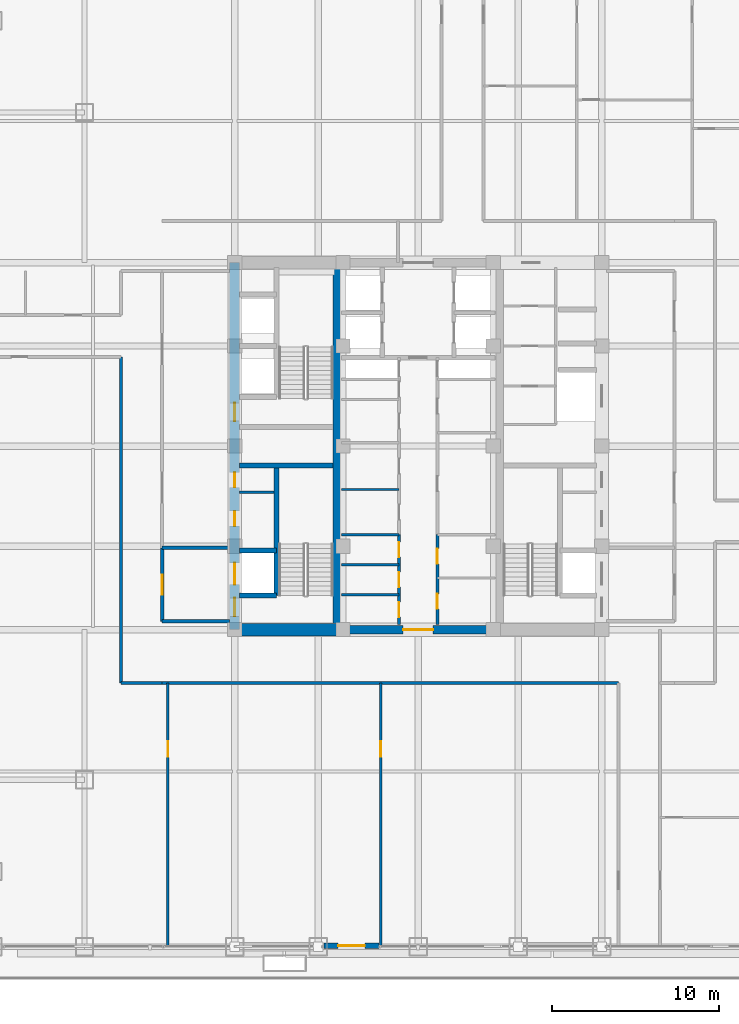
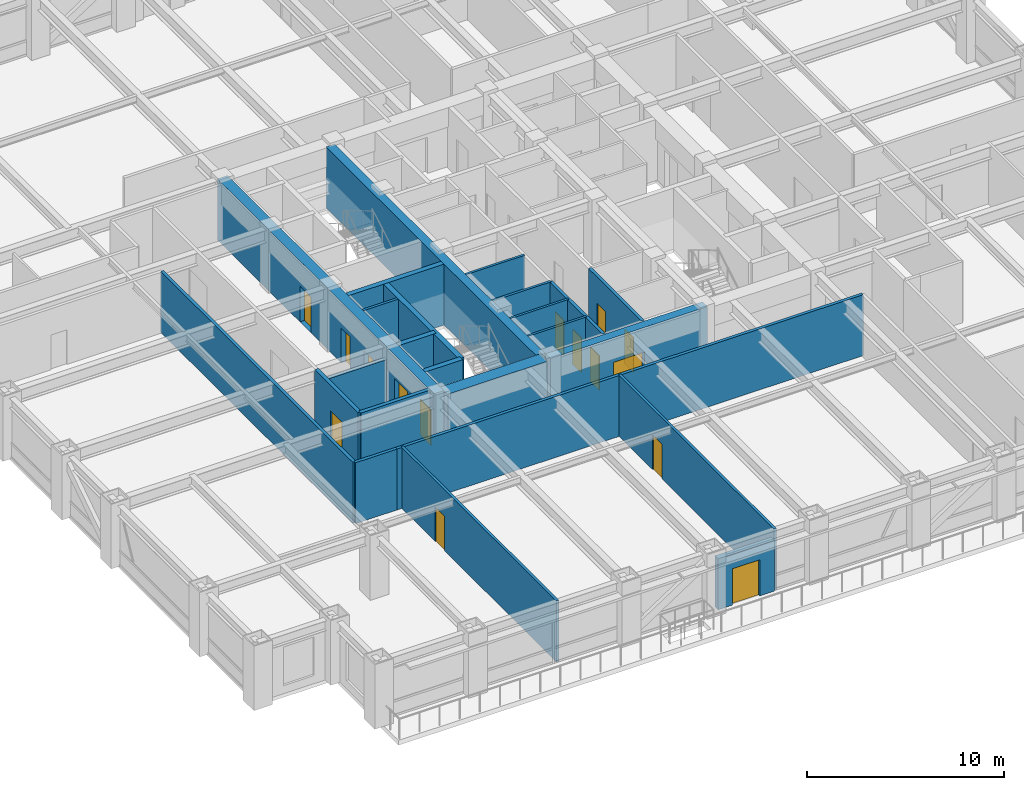
# One storey, part 26 of 35: 24 walls, 15 doors, 15 openings.
"""IFC4 building model written with IfcOpenShell, lengths in metres."""

from ifc_helpers import new_model, si_unit, direction, frame, frame_2d, origin, place, context, subcontext, project, spatial, rectangle, extrude, source, transform, mapped, material, layer, layer_set, type_object, element, fill, save


model = new_model("IFC4")

# Units and contexts
model_context = context("Model", 3, precision=1e-05, world=origin(), true_north=direction((0.0, 1.0)))
body_context = subcontext(model_context, "Body", "Model", "MODEL_VIEW")
ifc_project = project(units=[si_unit("LENGTHUNIT", "METRE"), si_unit("AREAUNIT", "SQUARE_METRE"), si_unit("VOLUMEUNIT", "CUBIC_METRE"), si_unit("PLANEANGLEUNIT", "RADIAN"), si_unit("MASSUNIT", "GRAM", prefix="KILO")], contexts=[model_context])

# Site, building, storey
site_placement = place(None, origin())
site = spatial("IfcSite", under=ifc_project, at=site_placement, CompositionType="ELEMENT")
building_placement = place(site_placement, origin())
building = spatial("IfcBuilding", under=site, at=building_placement, Name="Khorayat Bourse Tower", CompositionType="ELEMENT")
storey_placement = place(building_placement, frame((0.0, 0.0, 155.10009765625)))
storey = spatial("IfcBuildingStorey", under=building, at=storey_placement, Name="L35", CompositionType="ELEMENT", Elevation=155.10009765625)

# Wall, openings, doors
ifc_material_1 = material(Name="Concrete C60/75", Category="concrete")
ifc_layer_1 = layer(ifc_material_1, 0.60009765625)
ifc_layer_set_1 = layer_set([ifc_layer_1], Name="Concrete C60/75")
wall_type_1 = type_object("IfcWallType", Name="WAL-CORE-600", PredefinedType="SHEAR", material=ifc_layer_set_1)
shared_shape_1 = source(origin(), body_context, "Body", "SweptSolid", [
    extrude(rectangle(XDim=22.0, YDim=0.60009765625, at=frame_2d((11.0, 0.0))), origin(), (0.0, 0.0, 1.0), 3.77978515625),
])
wall_1_placement = place(storey_placement, frame((-11.0, -11.0, 0.0), z_axis=(0.0, 0.0, 1.0), x_axis=(0.0, 1.0, 0.0)))
wall_1 = element("IfcWall", 1, at=wall_1_placement, inside=storey, type_object=wall_type_1, Name="L35 Core Shear Wall CORE-W", PredefinedType="SHEAR", context=body_context, shape_type="MappedRepresentation", body=[
    mapped(shared_shape_1, transform((0.0, 0.0, 0.0), scale=1.0)),
])
shared_shape_2 = source(origin(), body_context, "Body", "SweptSolid", [
    extrude(rectangle(XDim=1.10009765625, YDim=2.199951171875, at=frame_2d((0.550048828125, 1.10009765625))), frame((0.0, 0.31005859375, 0.0), z_axis=(0.0, -1.0, 0.0), x_axis=(1.0, 0.0, 0.0)), (0.0, 0.0, 1.0), 0.6201171875),
])
opening_1_placement = place(wall_1_placement, frame((0.800048828125, 0.0, 0.0)))
opening_1 = element("IfcOpeningElement", 2, at=opening_1_placement, cuts=wall_1, Name="Opening DI-01", PredefinedType="OPENING", context=body_context, shape_type="MappedRepresentation", body=[
    mapped(shared_shape_2, transform((0.0, 0.0, 0.0), scale=1.0)),
])
opening_2_placement = place(wall_1_placement, frame((12.5, 0.0, 0.0)))
opening_2 = element("IfcOpeningElement", 3, at=opening_2_placement, cuts=wall_1, Name="Opening DI-01", PredefinedType="OPENING", context=body_context, shape_type="MappedRepresentation", body=[
    mapped(shared_shape_2, transform((0.0, 0.0, 0.0), scale=1.0)),
])
shared_shape_3 = source(origin(), body_context, "Body", "SweptSolid", [
    extrude(rectangle(XDim=0.89990234375, YDim=2.14990234375, at=frame_2d((0.449951171875, 1.074951171875))), frame((0.0, 0.31005859375, 0.0), z_axis=(0.0, -1.0, 0.0), x_axis=(1.0, 0.0, 0.0)), (0.0, 0.0, 1.0), 0.6201171875),
])
opening_3_placement = place(wall_1_placement, frame((6.199951171875, 0.0, 0.0)))
opening_3 = element("IfcOpeningElement", 4, at=opening_3_placement, cuts=wall_1, Name="Opening DI-06", PredefinedType="OPENING", context=body_context, shape_type="MappedRepresentation", body=[
    mapped(shared_shape_3, transform((0.0, 0.0, 0.0), scale=1.0)),
])
opening_4_placement = place(wall_1_placement, frame((8.52490234375, 0.0, 0.0)))
opening_4 = element("IfcOpeningElement", 5, at=opening_4_placement, cuts=wall_1, Name="Opening DI-06", PredefinedType="OPENING", context=body_context, shape_type="MappedRepresentation", body=[
    mapped(shared_shape_3, transform((0.0, 0.0, 0.0), scale=1.0)),
])
shared_shape_4 = source(origin(), body_context, "Body", "SweptSolid", [
    extrude(rectangle(XDim=1.300048828125, YDim=2.300048828125, at=frame_2d((0.64990234375, 1.14990234375))), frame((0.0, 0.31005859375, 0.0), z_axis=(0.0, -1.0, 0.0), x_axis=(1.0, 0.0, 0.0)), (0.0, 0.0, 1.0), 0.6201171875),
])
opening_5_placement = place(wall_1_placement, frame((2.699951171875, 0.0, 0.0)))
opening_5 = element("IfcOpeningElement", 6, at=opening_5_placement, cuts=wall_1, Name="Opening LD-02", PredefinedType="OPENING", context=body_context, shape_type="MappedRepresentation", body=[
    mapped(shared_shape_4, transform((0.0, 0.0, 0.0), scale=1.0)),
])
ifc_material_2 = material(Name="Fire-rated steel acoustic leaf", Category="steel")
door_type_1 = type_object("IfcDoorType", Name="DR-INT-STAIR-1100", OperationType="NOTDEFINED", PredefinedType="DOOR", material=ifc_material_2)
shared_shape_5 = source(origin(), body_context, "Body", "SweptSolid", [
    extrude(rectangle(XDim=1.10009765625, YDim=2.199951171875, at=frame_2d((0.550048828125, 1.10009765625))), frame((0.0, 0.02490234375, 0.0), z_axis=(0.0, -1.0, 0.0), x_axis=(1.0, 0.0, 0.0)), (0.0, 0.0, 1.0), 0.050048828125),
])
door_1_placement = place(opening_1_placement, origin())
door_1 = element("IfcDoor", 7, at=door_1_placement, inside=storey, type_object=door_type_1, Name="L35 Exit Stair 1 Door", OperationType="SINGLE_SWING_RIGHT", OverallHeight=2.199951171875, OverallWidth=1.10009765625, PredefinedType="DOOR", context=body_context, shape_type="MappedRepresentation", body=[
    mapped(shared_shape_5, transform((0.0, 0.0, 0.0), scale=1.0)),
])
fill(opening_1, door_1)
door_2_placement = place(opening_2_placement, origin())
door_2 = element("IfcDoor", 8, at=door_2_placement, inside=storey, type_object=door_type_1, Name="L35 Exit Stair 2 Door", OperationType="SINGLE_SWING_RIGHT", OverallHeight=2.199951171875, OverallWidth=1.10009765625, PredefinedType="DOOR", context=body_context, shape_type="MappedRepresentation", body=[
    mapped(shared_shape_5, transform((0.0, 0.0, 0.0), scale=1.0)),
])
fill(opening_2, door_2)
ifc_material_3 = material(Name="Moisture-resistant laminate washroom door")
door_type_2 = type_object("IfcDoorType", Name="DR-INT-WC-900", OperationType="NOTDEFINED", PredefinedType="DOOR", material=ifc_material_3)
shared_shape_6 = source(origin(), body_context, "Body", "SweptSolid", [
    extrude(rectangle(XDim=0.89990234375, YDim=2.14990234375, at=frame_2d((0.449951171875, 1.074951171875))), frame((0.0, 0.02490234375, 0.0), z_axis=(0.0, -1.0, 0.0), x_axis=(1.0, 0.0, 0.0)), (0.0, 0.0, 1.0), 0.050048828125),
])
door_3_placement = place(opening_3_placement, origin())
door_3 = element("IfcDoor", 9, at=door_3_placement, inside=storey, type_object=door_type_2, Name="L35 Switch Closet Door", OperationType="SINGLE_SWING_RIGHT", OverallHeight=2.14990234375, OverallWidth=0.89990234375, PredefinedType="DOOR", context=body_context, shape_type="MappedRepresentation", body=[
    mapped(shared_shape_6, transform((0.0, 0.0, 0.0), scale=1.0)),
])
fill(opening_3, door_3)
door_4_placement = place(opening_4_placement, origin())
door_4 = element("IfcDoor", 10, at=door_4_placement, inside=storey, type_object=door_type_2, Name="L35 Janitor Store Door", OperationType="SINGLE_SWING_LEFT", OverallHeight=2.14990234375, OverallWidth=0.89990234375, PredefinedType="DOOR", context=body_context, shape_type="MappedRepresentation", body=[
    mapped(shared_shape_6, transform((0.0, 0.0, 0.0), scale=1.0)),
])
fill(opening_4, door_4)
ifc_material_4 = material(Name="Fire-rated stainless-steel sliding landing door", Category="steel")
door_type_3 = type_object("IfcDoorType", Name="DR-LIFT-FF-1300", OperationType="NOTDEFINED", PredefinedType="DOOR", material=ifc_material_4)
shared_shape_7 = source(origin(), body_context, "Body", "SweptSolid", [
    extrude(rectangle(XDim=1.300048828125, YDim=2.300048828125, at=frame_2d((0.64990234375, 1.14990234375))), frame((0.0, 0.02490234375, 0.0), z_axis=(0.0, -1.0, 0.0), x_axis=(1.0, 0.0, 0.0)), (0.0, 0.0, 1.0), 0.050048828125),
])
door_5_placement = place(opening_5_placement, origin())
door_5 = element("IfcDoor", 11, at=door_5_placement, inside=storey, type_object=door_type_3, Name="L35 Lift FFL-01 Sliding Landing Door", OperationType="SLIDING_TO_LEFT", OverallHeight=2.300048828125, OverallWidth=1.300048828125, PredefinedType="DOOR", context=body_context, shape_type="MappedRepresentation", body=[
    mapped(shared_shape_7, transform((0.0, 0.0, 0.0), scale=1.0)),
])
fill(opening_5, door_5)

# Walls
ifc_material_5 = material(Name="Concrete C52/65", Category="concrete")
ifc_layer_2 = layer(ifc_material_5, 0.5)
ifc_layer_set_2 = layer_set([ifc_layer_2], Name="Concrete C52/65")
wall_type_2 = type_object("IfcWallType", Name="WAL-CORE-500", PredefinedType="SHEAR", material=ifc_layer_set_2)
shared_shape_8 = source(origin(), body_context, "Body", "SweptSolid", [
    extrude(rectangle(XDim=21.39990234375, YDim=0.5, at=frame_2d((10.699951171875, 0.0))), origin(), (0.0, 0.0, 1.0), 3.77978515625),
])
wall_2_placement = place(storey_placement, frame((-4.85009765625, -10.699951171875, 0.0), z_axis=(0.0, 0.0, 1.0), x_axis=(0.0, 1.0, 0.0)))
element("IfcWall", 12, at=wall_2_placement, inside=storey, type_object=wall_type_2, Name="L35 Core Shear Wall PIER-W", PredefinedType="SHEAR", context=body_context, shape_type="MappedRepresentation", body=[
    mapped(shared_shape_8, transform((0.0, 0.0, 0.0), scale=1.0)),
])
ifc_material_6 = material(Name="Concrete C72/90", Category="concrete")
ifc_layer_3 = layer(ifc_material_6, 0.75)
ifc_layer_set_3 = layer_set([ifc_layer_3], Name="Concrete C72/90")
wall_type_3 = type_object("IfcWallType", Name="WAL-CORE-750", PredefinedType="SHEAR", material=ifc_layer_set_3)
shared_shape_9 = source(origin(), body_context, "Body", "SweptSolid", [
    extrude(rectangle(XDim=5.849853515625, YDim=0.75, at=frame_2d((2.9248046875, 0.0))), origin(), (0.0, 0.0, 1.0), 3.77978515625),
])
wall_3_placement = place(storey_placement, frame((-10.699951171875, -11.0, 0.0), z_axis=(0.0, 0.0, 1.0), x_axis=(1.0, 0.0, 0.0)))
element("IfcWall", 13, at=wall_3_placement, inside=storey, type_object=wall_type_3, Name="L35 Core Shear Wall PIER-WS", PredefinedType="SHEAR", context=body_context, shape_type="MappedRepresentation", body=[
    mapped(shared_shape_9, transform((0.0, 0.0, 0.0), scale=1.0)),
])
ifc_material_7 = material(Name="Concrete C50/60", Category="concrete")
ifc_layer_4 = layer(ifc_material_7, 0.300048828125)
ifc_layer_set_4 = layer_set([ifc_layer_4], Name="Concrete C50/60")
wall_type_4 = type_object("IfcWallType", Name="WAL-SHAFT-300", PredefinedType="SHEAR", material=ifc_layer_set_4)
shared_shape_10 = source(origin(), body_context, "Body", "SweptSolid", [
    extrude(rectangle(XDim=5.599853515625, YDim=0.300048828125, at=frame_2d((2.7998046875, 0.0))), origin(), (0.0, 0.0, 1.0), 3.77978515625),
])
wall_4_placement = place(storey_placement, frame((-10.699951171875, -1.14990234375, 0.0), z_axis=(0.0, 0.0, 1.0), x_axis=(1.0, 0.0, 0.0)))
element("IfcWall", 14, at=wall_4_placement, inside=storey, type_object=wall_type_4, Name="L35 Core Shear Wall ST1-DIV", PredefinedType="SHEAR", context=body_context, shape_type="MappedRepresentation", body=[
    mapped(shared_shape_10, transform((0.0, 0.0, 0.0), scale=1.0)),
])

# Wall, opening, door
shared_shape_11 = source(origin(), body_context, "Body", "SweptSolid", [
    extrude(rectangle(XDim=9.2001953125, YDim=0.5, at=frame_2d((4.60009765625, 0.0))), origin(), (0.0, 0.0, 1.0), 3.77978515625),
])
wall_5_placement = place(storey_placement, frame((-4.60009765625, -11.0, 0.0), z_axis=(0.0, 0.0, 1.0), x_axis=(1.0, 0.0, 0.0)))
wall_5 = element("IfcWall", 15, at=wall_5_placement, inside=storey, type_object=wall_type_2, Name="L35 Core Shear Wall CORE-S", PredefinedType="SHEAR", context=body_context, shape_type="MappedRepresentation", body=[
    mapped(shared_shape_11, transform((0.0, 0.0, 0.0), scale=1.0)),
])
shared_shape_12 = source(origin(), body_context, "Body", "SweptSolid", [
    extrude(rectangle(XDim=1.800048828125, YDim=2.25, at=frame_2d((0.89990234375, 1.125))), frame((0.0, 0.260009765625, 0.0), z_axis=(0.0, -1.0, 0.0), x_axis=(1.0, 0.0, 0.0)), (0.0, 0.0, 1.0), 0.52001953125),
])
opening_6_placement = place(wall_5_placement, frame((3.699951171875, 0.0, 0.0)))
opening_6 = element("IfcOpeningElement", 16, at=opening_6_placement, cuts=wall_5, Name="Opening DI-03", PredefinedType="OPENING", context=body_context, shape_type="MappedRepresentation", body=[
    mapped(shared_shape_12, transform((0.0, 0.0, 0.0), scale=1.0)),
])
ifc_material_8 = material(Name="Fire-rated hardwood vision-panel double leaf", Category="wood")
door_type_4 = type_object("IfcDoorType", Name="DR-INT-CORR-1800", OperationType="NOTDEFINED", PredefinedType="DOOR", material=ifc_material_8)
shared_shape_13 = source(origin(), body_context, "Body", "SweptSolid", [
    extrude(rectangle(XDim=1.800048828125, YDim=2.25, at=frame_2d((0.89990234375, 1.125))), frame((0.0, 0.02490234375, 0.0), z_axis=(0.0, -1.0, 0.0), x_axis=(1.0, 0.0, 0.0)), (0.0, 0.0, 1.0), 0.050048828125),
])
door_6_placement = place(opening_6_placement, origin())
door_6 = element("IfcDoor", 17, at=door_6_placement, inside=storey, type_object=door_type_4, Name="L35 Central Core South Passage Door", OperationType="SINGLE_SWING_LEFT", OverallHeight=2.25, OverallWidth=1.800048828125, PredefinedType="DOOR", context=body_context, shape_type="MappedRepresentation", body=[
    mapped(shared_shape_13, transform((0.0, 0.0, 0.0), scale=1.0)),
])
fill(opening_6, door_6)

ifc_material_9 = material(Name="Precast concrete C45/55", Category="concrete")
ifc_layer_5 = layer(ifc_material_9, 0.320068359375)
ifc_layer_set_5 = layer_set([ifc_layer_5], Name="Precast concrete C45/55")
wall_type_5 = type_object("IfcWallType", Name="WAL-EXT-STONE-320", PredefinedType="STANDARD", material=ifc_layer_set_5)
shared_shape_14 = source(origin(), body_context, "Body", "SweptSolid", [
    extrude(rectangle(XDim=3.2998046875, YDim=0.320068359375, at=frame_2d((1.64990234375, 0.0))), origin(), (0.0, 0.0, 1.0), 3.163818359375),
])
wall_6_placement = place(storey_placement, frame((-5.64990234375, -29.9423828125, 0.0), z_axis=(0.0, 0.0, 1.0), x_axis=(1.0, 0.0, 0.0)))
wall_6 = element("IfcWall", 18, at=wall_6_placement, inside=storey, type_object=wall_type_5, Name="L35 Exterior Limestone Wall WAL-L35-TDPORT-S1", PredefinedType="STANDARD", context=body_context, shape_type="MappedRepresentation", body=[
    mapped(shared_shape_14, transform((0.0, 0.0, 0.0), scale=1.0)),
])
shared_shape_15 = source(origin(), body_context, "Body", "SweptSolid", [
    extrude(rectangle(XDim=1.60009765625, YDim=2.25, at=frame_2d((0.800048828125, 1.125))), frame((0.0, 0.169921875, 0.0), z_axis=(0.0, -1.0, 0.0), x_axis=(1.0, 0.0, 0.0)), (0.0, 0.0, 1.0), 0.340087890625),
])
opening_7_placement = place(wall_6_placement, frame((0.85009765625, 0.0, 0.0)))
opening_7 = element("IfcOpeningElement", 19, at=opening_7_placement, cuts=wall_6, Name="Opening DE-04", PredefinedType="OPENING", context=body_context, shape_type="MappedRepresentation", body=[
    mapped(shared_shape_15, transform((0.0, 0.0, 0.0), scale=1.0)),
])
ifc_material_10 = material(Name="Thermally broken aluminium terrace double door", Category="aluminium")
door_type_5 = type_object("IfcDoorType", Name="DR-EXT-TERR-1600", OperationType="NOTDEFINED", PredefinedType="DOOR", material=ifc_material_10)
shared_shape_16 = source(origin(), body_context, "Body", "SweptSolid", [
    extrude(rectangle(XDim=1.60009765625, YDim=2.25, at=frame_2d((0.800048828125, 1.125))), frame((0.0, 0.02490234375, 0.0), z_axis=(0.0, -1.0, 0.0), x_axis=(1.0, 0.0, 0.0)), (0.0, 0.0, 1.0), 0.050048828125),
])
door_7_placement = place(opening_7_placement, origin())
door_7 = element("IfcDoor", 20, at=door_7_placement, inside=storey, type_object=door_type_5, Name="L35 South Setback Terrace Door", OperationType="DOUBLE_DOOR_SINGLE_SWING", OverallHeight=2.25, OverallWidth=1.60009765625, PredefinedType="DOOR", context=body_context, shape_type="MappedRepresentation", body=[
    mapped(shared_shape_16, transform((0.0, 0.0, 0.0), scale=1.0)),
])
fill(opening_7, door_7)

# Walls
shared_shape_17 = source(origin(), body_context, "Body", "SweptSolid", [
    extrude(rectangle(XDim=7.800048828125, YDim=0.300048828125, at=frame_2d((3.89990234375, 0.0))), origin(), (0.0, 0.0, 1.0), 3.77978515625),
])
wall_7_placement = place(storey_placement, frame((-8.5, -8.949951171875, 0.0), z_axis=(0.0, 0.0, 1.0), x_axis=(0.0, 1.0, 0.0)))
element("IfcWall", 21, at=wall_7_placement, inside=storey, type_object=wall_type_4, Name="L35 Partition WAL-L35-WPIER-SP", PredefinedType="SHEAR", context=body_context, shape_type="MappedRepresentation", body=[
    mapped(shared_shape_17, transform((0.0, 0.0, 0.0), scale=1.0)),
])
shared_shape_18 = source(origin(), body_context, "Body", "SweptSolid", [
    extrude(rectangle(XDim=2.199951171875, YDim=0.300048828125, at=frame_2d((1.10009765625, 0.0))), origin(), (0.0, 0.0, 1.0), 3.77978515625),
])
for number, where, z_axis, x_axis, name in (
    (22, (-10.699951171875, -8.949951171875, 0.0), (0.0, 0.0, 1.0), (1.0, 0.0, 0.0), "L35 Partition WAL-L35-WPIER-FF1S"),
    (23, (-10.699951171875, -6.25, 0.0), (0.0, 0.0, 1.0), (1.0, 0.0, 0.0), "L35 Partition WAL-L35-WPIER-FF1N"),
):
    element("IfcWall", number, at=place(storey_placement, frame(where, z_axis=z_axis, x_axis=x_axis)), inside=storey, type_object=wall_type_4, Name=name, PredefinedType="SHEAR", context=body_context, shape_type="MappedRepresentation", body=[
        mapped(shared_shape_18, transform((0.0, 0.0, 0.0), scale=1.0)),
    ])
ifc_material_11 = material(Name="Gypsum plasterboard twin-frame partition")
ifc_layer_6 = layer(ifc_material_11, 0.14990234375)
ifc_layer_set_6 = layer_set([ifc_layer_6], Name="Gypsum plasterboard twin-frame partition")
wall_type_6 = type_object("IfcWallType", Name="WAL-PART-SUITE-150", PredefinedType="PARTITIONING", material=ifc_layer_set_6)
shared_shape_19 = source(origin(), body_context, "Body", "SweptSolid", [
    extrude(rectangle(XDim=2.050048828125, YDim=0.14990234375, at=frame_2d((1.02490234375, 0.0))), origin(), (0.0, 0.0, 1.0), 3.77978515625),
])
wall_8_placement = place(storey_placement, frame((-10.699951171875, -2.75, 0.0), z_axis=(0.0, 0.0, 1.0), x_axis=(1.0, 0.0, 0.0)))
element("IfcWall", 24, at=wall_8_placement, inside=storey, type_object=wall_type_6, Name="L35 Partition WAL-L35-WSRV-D1", PredefinedType="PARTITIONING", context=body_context, shape_type="MappedRepresentation", body=[
    mapped(shared_shape_19, transform((0.0, 0.0, 0.0), scale=1.0)),
])
ifc_material_12 = material(Name="Aerated concrete blockwork", Category="masonry")
ifc_layer_7 = layer(ifc_material_12, 0.219970703125)
ifc_layer_set_7 = layer_set([ifc_layer_7], Name="Aerated concrete blockwork")
wall_type_7 = type_object("IfcWallType", Name="WAL-PART-FF-220", PredefinedType="PARTITIONING", material=ifc_layer_set_7)
shared_shape_20 = source(origin(), body_context, "Body", "SweptSolid", [
    extrude(rectangle(XDim=4.050048828125, YDim=0.219970703125, at=frame_2d((2.02490234375, 0.0))), origin(), (0.0, 0.0, 1.0), 3.77978515625),
])
wall_9_placement = place(storey_placement, frame((-15.35009765625, -10.5, 0.0), z_axis=(0.0, 0.0, 1.0), x_axis=(1.0, 0.0, 0.0)))
element("IfcWall", 25, at=wall_9_placement, inside=storey, type_object=wall_type_7, Name="L35 Partition WAL-L35-FFLW-S", PredefinedType="PARTITIONING", context=body_context, shape_type="MappedRepresentation", body=[
    mapped(shared_shape_20, transform((0.0, 0.0, 0.0), scale=1.0)),
])
shared_shape_21 = source(origin(), body_context, "Body", "SweptSolid", [
    extrude(rectangle(XDim=4.050048828125, YDim=0.219970703125, at=frame_2d((2.02490234375, 0.0))), origin(), (0.0, 0.0, 1.0), 3.0068359375),
])
wall_10_placement = place(storey_placement, frame((-15.35009765625, -6.10009765625, 0.0), z_axis=(0.0, 0.0, 1.0), x_axis=(1.0, 0.0, 0.0)))
element("IfcWall", 26, at=wall_10_placement, inside=storey, type_object=wall_type_7, Name="L35 Partition WAL-L35-FFLW-N", PredefinedType="PARTITIONING", context=body_context, shape_type="MappedRepresentation", body=[
    mapped(shared_shape_21, transform((0.0, 0.0, 0.0), scale=1.0)),
])

# Wall, opening, door
shared_shape_22 = source(origin(), body_context, "Body", "SweptSolid", [
    extrude(rectangle(XDim=4.39990234375, YDim=0.219970703125, at=frame_2d((2.199951171875, 0.0))), origin(), (0.0, 0.0, 1.0), 3.77978515625),
])
wall_11_placement = place(storey_placement, frame((-15.35009765625, -10.5, 0.0), z_axis=(0.0, 0.0, 1.0), x_axis=(0.0, 1.0, 0.0)))
wall_11 = element("IfcWall", 27, at=wall_11_placement, inside=storey, type_object=wall_type_7, Name="L35 Partition WAL-L35-FFLW-W", PredefinedType="PARTITIONING", context=body_context, shape_type="MappedRepresentation", body=[
    mapped(shared_shape_22, transform((0.0, 0.0, 0.0), scale=1.0)),
])
shared_shape_23 = source(origin(), body_context, "Body", "SweptSolid", [
    extrude(rectangle(XDim=1.199951171875, YDim=2.199951171875, at=frame_2d((0.60009765625, 1.10009765625))), frame((0.0, 0.119873046875, 0.0), z_axis=(0.0, -1.0, 0.0), x_axis=(1.0, 0.0, 0.0)), (0.0, 0.0, 1.0), 0.239990234375),
])
opening_8_placement = place(wall_11_placement, frame((1.60009765625, 0.0, 0.0)))
opening_8 = element("IfcOpeningElement", 28, at=opening_8_placement, cuts=wall_11, Name="Opening DI-02", PredefinedType="OPENING", context=body_context, shape_type="MappedRepresentation", body=[
    mapped(shared_shape_23, transform((0.0, 0.0, 0.0), scale=1.0)),
])
ifc_material_13 = material(Name="Fire-rated steel double-seal leaf", Category="steel")
door_type_6 = type_object("IfcDoorType", Name="DR-INT-FFLOBBY-1200", OperationType="NOTDEFINED", PredefinedType="DOOR", material=ifc_material_13)
shared_shape_24 = source(origin(), body_context, "Body", "SweptSolid", [
    extrude(rectangle(XDim=1.199951171875, YDim=2.199951171875, at=frame_2d((0.60009765625, 1.10009765625))), frame((0.0, 0.02490234375, 0.0), z_axis=(0.0, -1.0, 0.0), x_axis=(1.0, 0.0, 0.0)), (0.0, 0.0, 1.0), 0.050048828125),
])
door_8_placement = place(opening_8_placement, origin())
door_8 = element("IfcDoor", 29, at=door_8_placement, inside=storey, type_object=door_type_6, Name="L35 West Firefighting Lobby Door", OperationType="SINGLE_SWING_LEFT", OverallHeight=2.199951171875, OverallWidth=1.199951171875, PredefinedType="DOOR", context=body_context, shape_type="MappedRepresentation", body=[
    mapped(shared_shape_24, transform((0.0, 0.0, 0.0), scale=1.0)),
])
fill(opening_8, door_8)

# Walls
shared_shape_25 = source(origin(), body_context, "Body", "SweptSolid", [
    extrude(rectangle(XDim=3.4501953125, YDim=0.14990234375, at=frame_2d((1.72509765625, 0.0))), origin(), (0.0, 0.0, 1.0), 3.77978515625),
])
wall_12_placement = place(storey_placement, frame((-4.60009765625, -5.300048828125, 0.0), z_axis=(0.0, 0.0, 1.0), x_axis=(1.0, 0.0, 0.0)))
element("IfcWall", 30, at=wall_12_placement, inside=storey, type_object=wall_type_6, Name="L35 Partition WAL-L35-FB1-NW", PredefinedType="PARTITIONING", context=body_context, shape_type="MappedRepresentation", body=[
    mapped(shared_shape_25, transform((0.0, 0.0, 0.0), scale=1.0)),
])
ifc_material_14 = material(Name="Moisture-resistant masonry partition", Category="masonry")
ifc_layer_8 = layer(ifc_material_14, 0.139892578125)
ifc_layer_set_8 = layer_set([ifc_layer_8], Name="Moisture-resistant masonry partition")
wall_type_8 = type_object("IfcWallType", Name="WAL-PART-WET-140", PredefinedType="PARTITIONING", material=ifc_layer_set_8)
shared_shape_26 = source(origin(), body_context, "Body", "SweptSolid", [
    extrude(rectangle(XDim=3.4501953125, YDim=0.139892578125, at=frame_2d((1.72509765625, 0.0))), origin(), (0.0, 0.0, 1.0), 3.77978515625),
])
for number, where, z_axis, x_axis, name in (
    (31, (-4.60009765625, -8.89990234375, 0.0), (0.0, 0.0, 1.0), (1.0, 0.0, 0.0), "L35 Partition WAL-L35-FB1W-D1"),
    (32, (-4.60009765625, -7.10009765625, 0.0), (0.0, 0.0, 1.0), (1.0, 0.0, 0.0), "L35 Partition WAL-L35-FB1W-D2"),
    (33, (-4.60009765625, -2.60009765625, 0.0), (0.0, 0.0, 1.0), (1.0, 0.0, 0.0), "L35 Partition WAL-L35-CMW-D1"),
):
    element("IfcWall", number, at=place(storey_placement, frame(where, z_axis=z_axis, x_axis=x_axis)), inside=storey, type_object=wall_type_8, Name=name, PredefinedType="PARTITIONING", context=body_context, shape_type="MappedRepresentation", body=[
        mapped(shared_shape_26, transform((0.0, 0.0, 0.0), scale=1.0)),
    ])

# Wall, openings, doors
ifc_material_15 = material(Name="Gypsum plasterboard acoustic stud wall")
ifc_layer_9 = layer(ifc_material_15, 0.179931640625)
ifc_layer_set_9 = layer_set([ifc_layer_9], Name="Gypsum plasterboard acoustic stud wall")
wall_type_9 = type_object("IfcWallType", Name="WAL-PART-CORR-180", PredefinedType="PARTITIONING", material=ifc_layer_set_9)
shared_shape_27 = source(origin(), body_context, "Body", "SweptSolid", [
    extrude(rectangle(XDim=5.39990234375, YDim=0.179931640625, at=frame_2d((2.699951171875, 0.0))), origin(), (0.0, 0.0, 1.0), 3.77978515625),
])
wall_13_placement = place(storey_placement, frame((-1.14990234375, -10.699951171875, 0.0), z_axis=(0.0, 0.0, 1.0), x_axis=(0.0, 1.0, 0.0)))
wall_13 = element("IfcWall", 34, at=wall_13_placement, inside=storey, type_object=wall_type_9, Name="L35 Partition WAL-L35-FB1W-L", PredefinedType="PARTITIONING", context=body_context, shape_type="MappedRepresentation", body=[
    mapped(shared_shape_27, transform((0.0, 0.0, 0.0), scale=1.0)),
])
shared_shape_28 = source(origin(), body_context, "Body", "SweptSolid", [
    extrude(rectangle(XDim=0.89990234375, YDim=2.14990234375, at=frame_2d((0.449951171875, 1.074951171875))), frame((0.0, 0.099853515625, 0.0), z_axis=(0.0, -1.0, 0.0), x_axis=(1.0, 0.0, 0.0)), (0.0, 0.0, 1.0), 0.199951171875),
])
opening_9_placement = place(wall_13_placement, frame((0.449951171875, 0.0, 0.0)))
opening_9 = element("IfcOpeningElement", 35, at=opening_9_placement, cuts=wall_13, Name="Opening DI-06", PredefinedType="OPENING", context=body_context, shape_type="MappedRepresentation", body=[
    mapped(shared_shape_28, transform((0.0, 0.0, 0.0), scale=1.0)),
])
opening_10_placement = place(wall_13_placement, frame((2.25, 0.0, 0.0)))
opening_10 = element("IfcOpeningElement", 36, at=opening_10_placement, cuts=wall_13, Name="Opening DI-06", PredefinedType="OPENING", context=body_context, shape_type="MappedRepresentation", body=[
    mapped(shared_shape_28, transform((0.0, 0.0, 0.0), scale=1.0)),
])
opening_11_placement = place(wall_13_placement, frame((4.050048828125, 0.0, 0.0)))
opening_11 = element("IfcOpeningElement", 37, at=opening_11_placement, cuts=wall_13, Name="Opening DI-06", PredefinedType="OPENING", context=body_context, shape_type="MappedRepresentation", body=[
    mapped(shared_shape_28, transform((0.0, 0.0, 0.0), scale=1.0)),
])
door_9_placement = place(opening_9_placement, origin())
door_9 = element("IfcDoor", 38, at=door_9_placement, inside=storey, type_object=door_type_2, Name="L35 Archive Store A Door", OperationType="SINGLE_SWING_RIGHT", OverallHeight=2.14990234375, OverallWidth=0.89990234375, PredefinedType="DOOR", context=body_context, shape_type="MappedRepresentation", body=[
    mapped(shared_shape_6, transform((0.0, 0.0, 0.0), scale=1.0)),
])
fill(opening_9, door_9)
door_10_placement = place(opening_10_placement, origin())
door_10 = element("IfcDoor", 39, at=door_10_placement, inside=storey, type_object=door_type_2, Name="L35 Patch Comms Room Door", OperationType="SINGLE_SWING_LEFT", OverallHeight=2.14990234375, OverallWidth=0.89990234375, PredefinedType="DOOR", context=body_context, shape_type="MappedRepresentation", body=[
    mapped(shared_shape_6, transform((0.0, 0.0, 0.0), scale=1.0)),
])
fill(opening_10, door_10)
door_11_placement = place(opening_11_placement, origin())
door_11 = element("IfcDoor", 40, at=door_11_placement, inside=storey, type_object=door_type_2, Name="L35 Archive Store B Door", OperationType="SINGLE_SWING_RIGHT", OverallHeight=2.14990234375, OverallWidth=0.89990234375, PredefinedType="DOOR", context=body_context, shape_type="MappedRepresentation", body=[
    mapped(shared_shape_6, transform((0.0, 0.0, 0.0), scale=1.0)),
])
fill(opening_11, door_11)

wall_14_placement = place(storey_placement, frame((1.14990234375, -10.699951171875, 0.0), z_axis=(0.0, 0.0, 1.0), x_axis=(0.0, 1.0, 0.0)))
wall_14 = element("IfcWall", 41, at=wall_14_placement, inside=storey, type_object=wall_type_9, Name="L35 Partition WAL-L35-FB1E-L", PredefinedType="PARTITIONING", context=body_context, shape_type="MappedRepresentation", body=[
    mapped(shared_shape_27, transform((0.0, 0.0, 0.0), scale=1.0)),
])
opening_12_placement = place(wall_14_placement, frame((0.949951171875, 0.0, 0.0)))
opening_12 = element("IfcOpeningElement", 42, at=opening_12_placement, cuts=wall_14, Name="Opening DI-06", PredefinedType="OPENING", context=body_context, shape_type="MappedRepresentation", body=[
    mapped(shared_shape_28, transform((0.0, 0.0, 0.0), scale=1.0)),
])
opening_13_placement = place(wall_14_placement, frame((3.64990234375, 0.0, 0.0)))
opening_13 = element("IfcOpeningElement", 43, at=opening_13_placement, cuts=wall_14, Name="Opening DI-06", PredefinedType="OPENING", context=body_context, shape_type="MappedRepresentation", body=[
    mapped(shared_shape_28, transform((0.0, 0.0, 0.0), scale=1.0)),
])
door_12_placement = place(opening_12_placement, origin())
door_12 = element("IfcDoor", 44, at=door_12_placement, inside=storey, type_object=door_type_2, Name="L35 UPS Switch Plant Room Door", OperationType="SINGLE_SWING_RIGHT", OverallHeight=2.14990234375, OverallWidth=0.89990234375, PredefinedType="DOOR", context=body_context, shape_type="MappedRepresentation", body=[
    mapped(shared_shape_6, transform((0.0, 0.0, 0.0), scale=1.0)),
])
fill(opening_12, door_12)
door_13_placement = place(opening_13_placement, origin())
door_13 = element("IfcDoor", 45, at=door_13_placement, inside=storey, type_object=door_type_2, Name="L35 Reprographics Store Door", OperationType="SINGLE_SWING_LEFT", OverallHeight=2.14990234375, OverallWidth=0.89990234375, PredefinedType="DOOR", context=body_context, shape_type="MappedRepresentation", body=[
    mapped(shared_shape_6, transform((0.0, 0.0, 0.0), scale=1.0)),
])
fill(opening_13, door_13)

# Wall
shared_shape_29 = source(origin(), body_context, "Body", "SweptSolid", [
    extrude(rectangle(XDim=2.449951171875, YDim=0.179931640625, at=frame_2d((1.22509765625, 0.0))), origin(), (0.0, 0.0, 1.0), 3.77978515625),
])
wall_15_placement = place(storey_placement, frame((-17.800048828125, -14.199951171875, 0.0), z_axis=(0.0, 0.0, 1.0), x_axis=(1.0, 0.0, 0.0)))
element("IfcWall", 46, at=wall_15_placement, inside=storey, type_object=wall_type_9, Name="L35 Partition WAL-L35-C2-WS", PredefinedType="PARTITIONING", context=body_context, shape_type="MappedRepresentation", body=[
    mapped(shared_shape_29, transform((0.0, 0.0, 0.0), scale=1.0)),
])

# Wall, opening, door
shared_shape_30 = source(origin(), body_context, "Body", "SweptSolid", [
    extrude(rectangle(XDim=15.800048828125, YDim=0.14990234375, at=frame_2d((7.89990234375, 0.0))), origin(), (0.0, 0.0, 1.0), 3.77978515625),
])
wall_16_placement = place(storey_placement, frame((-15.0, -30.0, 0.0), z_axis=(0.0, 0.0, 1.0), x_axis=(0.0, 1.0, 0.0)))
wall_16 = element("IfcWall", 47, at=wall_16_placement, inside=storey, type_object=wall_type_6, Name="L35 Partition WAL-L35-QSWDV-1", PredefinedType="PARTITIONING", context=body_context, shape_type="MappedRepresentation", body=[
    mapped(shared_shape_30, transform((0.0, 0.0, 0.0), scale=1.0)),
])
shared_shape_31 = source(origin(), body_context, "Body", "SweptSolid", [
    extrude(rectangle(XDim=0.949951171875, YDim=2.14990234375, at=frame_2d((0.47509765625, 1.074951171875))), frame((0.0, 0.0849609375, 0.0), z_axis=(0.0, -1.0, 0.0), x_axis=(1.0, 0.0, 0.0)), (0.0, 0.0, 1.0), 0.169921875),
])
opening_14_placement = place(wall_16_placement, frame((11.375, 0.0, 0.0)))
opening_14 = element("IfcOpeningElement", 48, at=opening_14_placement, cuts=wall_16, Name="Opening DI-05", PredefinedType="OPENING", context=body_context, shape_type="MappedRepresentation", body=[
    mapped(shared_shape_31, transform((0.0, 0.0, 0.0), scale=1.0)),
])
ifc_material_16 = material(Name="Acoustic oak veneer office door")
door_type_7 = type_object("IfcDoorType", Name="DR-INT-OFFICE-950", OperationType="NOTDEFINED", PredefinedType="DOOR", material=ifc_material_16)
shared_shape_32 = source(origin(), body_context, "Body", "SweptSolid", [
    extrude(rectangle(XDim=0.949951171875, YDim=2.14990234375, at=frame_2d((0.47509765625, 1.074951171875))), frame((0.0, 0.02490234375, 0.0), z_axis=(0.0, -1.0, 0.0), x_axis=(1.0, 0.0, 0.0)), (0.0, 0.0, 1.0), 0.050048828125),
])
door_14_placement = place(opening_14_placement, origin())
door_14 = element("IfcDoor", 49, at=door_14_placement, inside=storey, type_object=door_type_7, Name="L35 South-West Suite Link 1", OperationType="SINGLE_SWING_RIGHT", OverallHeight=2.14990234375, OverallWidth=0.949951171875, PredefinedType="DOOR", context=body_context, shape_type="MappedRepresentation", body=[
    mapped(shared_shape_32, transform((0.0, 0.0, 0.0), scale=1.0)),
])
fill(opening_14, door_14)

wall_17_placement = place(storey_placement, frame((-2.25, -30.0, 0.0), z_axis=(0.0, 0.0, 1.0), x_axis=(0.0, 1.0, 0.0)))
wall_17 = element("IfcWall", 50, at=wall_17_placement, inside=storey, type_object=wall_type_6, Name="L35 Partition WAL-L35-QSWDV-2", PredefinedType="PARTITIONING", context=body_context, shape_type="MappedRepresentation", body=[
    mapped(shared_shape_30, transform((0.0, 0.0, 0.0), scale=1.0)),
])
opening_15_placement = place(wall_17_placement, frame((11.375, 0.0, 0.0)))
opening_15 = element("IfcOpeningElement", 51, at=opening_15_placement, cuts=wall_17, Name="Opening DI-05", PredefinedType="OPENING", context=body_context, shape_type="MappedRepresentation", body=[
    mapped(shared_shape_31, transform((0.0, 0.0, 0.0), scale=1.0)),
])
door_15_placement = place(opening_15_placement, origin())
door_15 = element("IfcDoor", 52, at=door_15_placement, inside=storey, type_object=door_type_7, Name="L35 South-West Suite Link 2", OperationType="SINGLE_SWING_LEFT", OverallHeight=2.14990234375, OverallWidth=0.949951171875, PredefinedType="DOOR", context=body_context, shape_type="MappedRepresentation", body=[
    mapped(shared_shape_32, transform((0.0, 0.0, 0.0), scale=1.0)),
])
fill(opening_15, door_15)

# Walls
shared_shape_33 = source(origin(), body_context, "Body", "SweptSolid", [
    extrude(rectangle(XDim=27.35009765625, YDim=0.179931640625, at=frame_2d((13.675048828125, 0.0))), origin(), (0.0, 0.0, 1.0), 3.77978515625),
])
wall_18_placement = place(storey_placement, frame((-15.35009765625, -14.199951171875, 0.0), z_axis=(0.0, 0.0, 1.0), x_axis=(1.0, 0.0, 0.0)))
element("IfcWall", 53, at=wall_18_placement, inside=storey, type_object=wall_type_9, Name="L35 Partition WAL-L35-QSW-HC", PredefinedType="PARTITIONING", context=body_context, shape_type="MappedRepresentation", body=[
    mapped(shared_shape_33, transform((0.0, 0.0, 0.0), scale=1.0)),
])
shared_shape_34 = source(origin(), body_context, "Body", "SweptSolid", [
    extrude(rectangle(XDim=19.550048828125, YDim=0.179931640625, at=frame_2d((9.77490234375, 0.0))), origin(), (0.0, 0.0, 1.0), 3.77978515625),
])
wall_19_placement = place(storey_placement, frame((-17.800048828125, -14.199951171875, 0.0), z_axis=(0.0, 0.0, 1.0), x_axis=(0.0, 1.0, 0.0)))
element("IfcWall", 54, at=wall_19_placement, inside=storey, type_object=wall_type_9, Name="L35 Partition WAL-L35-WS-IN", PredefinedType="PARTITIONING", context=body_context, shape_type="MappedRepresentation", body=[
    mapped(shared_shape_34, transform((0.0, 0.0, 0.0), scale=1.0)),
])

save(model, "model.ifc")
